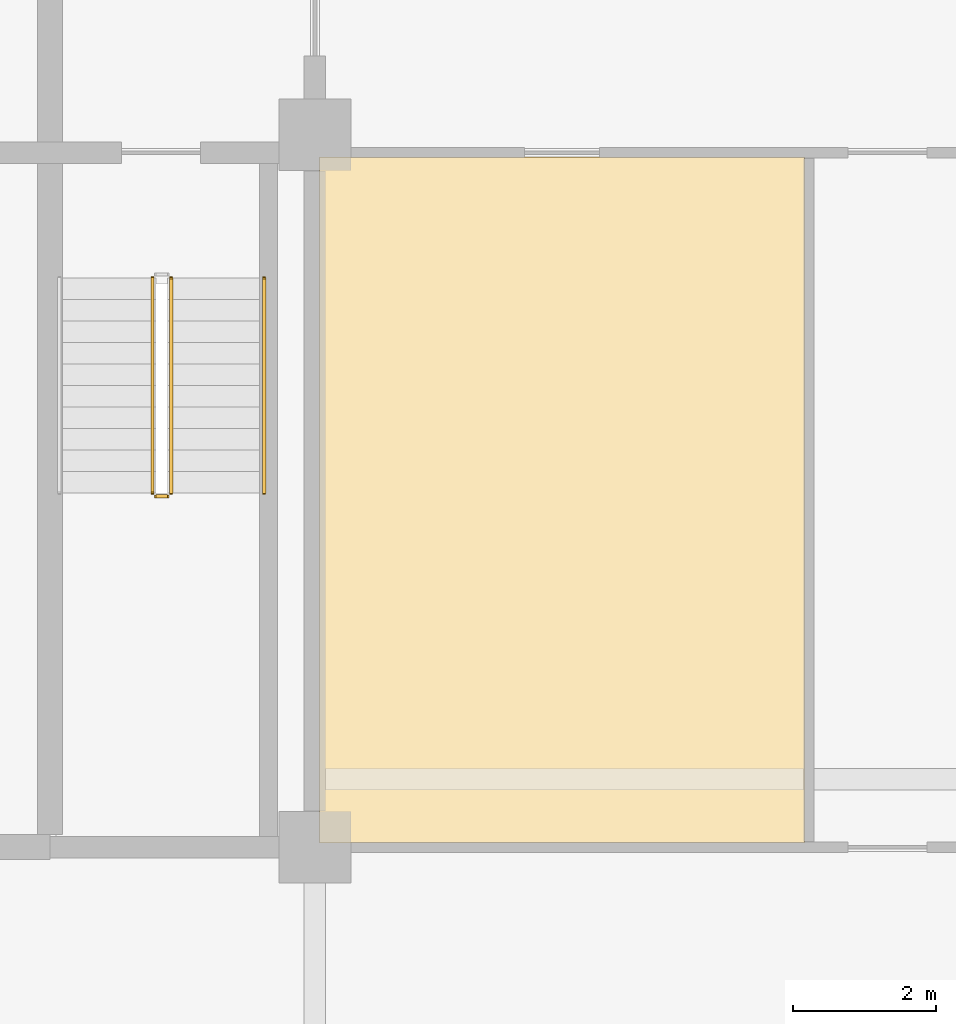
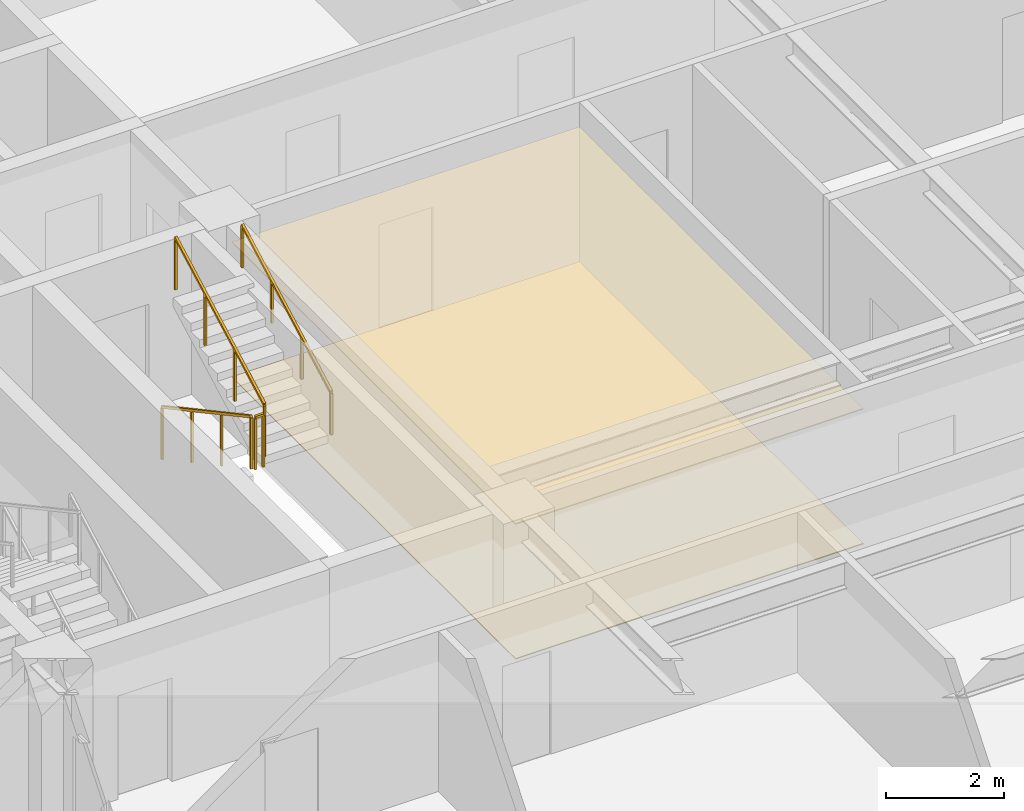
# One storey, part 11 of 16: 4 railings, 2 coverings.
"""IFC4 building model written with IfcOpenShell, lengths in metres."""

import ifcopenshell
import ifcopenshell.guid

model = None  # the IFC model being written
_history = None  # IfcOwnerHistory: only IFC2X3 demands one
_inside = {}  # id of a spatial element -> (the spatial element, [elements in it])
_under = {}  # id of a project, library or spatial element -> (it, [spatial elements below it])
_declared = {}  # id of a project -> (the project, [libraries it declares])
_typed = {}  # id of a type object -> (the type object, [elements of that type])
_made_of = {}  # id of a material, layer set ... -> (it, [elements and type objects made of it])


def new_model(schema):
    """Start an empty IFC model of exactly this schema.

    Asked for "IFC4X3", IfcOpenShell would pick the latest addendum, in which some entities
    have other attributes; the version numbers below select the first issue.
    IFC2X3 requires an IfcOwnerHistory on every rooted entity: one is made here for all.
    """
    global model, _history
    if schema == "IFC4X3":
        model = ifcopenshell.file(schema_version=(4, 3, 0, 0))
    else:
        model = ifcopenshell.file(schema=schema)
    _inside.clear()
    _under.clear()
    _declared.clear()
    _typed.clear()
    _made_of.clear()
    _history = None
    if model.schema == "IFC2X3":
        org = make("IfcOrganization", Name="unknown")
        user = make(
            "IfcPersonAndOrganization",
            ThePerson=make("IfcPerson", FamilyName="unknown"),
            TheOrganization=org,
        )
        app = make(
            "IfcApplication",
            ApplicationDeveloper=org,
            Version="unknown",
            ApplicationFullName="unknown",
            ApplicationIdentifier="unknown",
        )
        _history = make(
            "IfcOwnerHistory",
            OwningUser=user,
            OwningApplication=app,
            ChangeAction="ADDED",
            CreationDate=0,
        )
    return model


def make(cls, **values):
    """One entity of the class cls with the attributes given. An attribute that is None is left unset."""
    return model.create_entity(
        cls, **{name: value for name, value in values.items() if value is not None}
    )


def rooted(cls, **values):
    """An entity with a GlobalId (a new one), such as an element, a storey or a relation."""
    return make(cls, GlobalId=ifcopenshell.guid.new(), OwnerHistory=_history, **values)


def si_unit(unit_type, name, prefix=None):
    """IfcSIUnit, for example si_unit("LENGTHUNIT", "METRE", prefix="MILLI")."""
    return make("IfcSIUnit", UnitType=unit_type, Prefix=prefix, Name=name)


def assignment(units):
    """IfcUnitAssignment: the units of a project."""
    return None if units is None else make("IfcUnitAssignment", Units=units)


def point(xyz):
    """IfcCartesianPoint."""
    return None if xyz is None else make("IfcCartesianPoint", Coordinates=xyz)


def direction(xyz):
    """IfcDirection."""
    return None if xyz is None else make("IfcDirection", DirectionRatios=xyz)


def frame(location, z_axis=None, x_axis=None):
    """IfcAxis2Placement3D, a coordinate frame: its origin and axes. An axis left out is left unset."""
    return make(
        "IfcAxis2Placement3D",
        Location=point(location),
        Axis=direction(z_axis),
        RefDirection=direction(x_axis),
    )


def frame_2d(location, x_axis=None):
    """IfcAxis2Placement2D, a coordinate frame in the plane: its origin and x axis."""
    return make(
        "IfcAxis2Placement2D", Location=point(location), RefDirection=direction(x_axis)
    )


def origin():
    """The frame at (0, 0, 0) with its axes left unset."""
    return frame((0.0, 0.0, 0.0))


def origin_2d():
    """The frame at (0, 0) in the plane with its x axis left unset."""
    return frame_2d((0.0, 0.0))


def place(relative_to, where):
    """IfcLocalPlacement: puts the frame where relative to a parent placement (None: the world)."""
    return make(
        "IfcLocalPlacement", PlacementRelTo=relative_to, RelativePlacement=where
    )


def context(
    kind, dimensions, precision=None, world=None, true_north=None, identifier=None
):
    """IfcGeometricRepresentationContext, for example the 3D "Model" context."""
    return make(
        "IfcGeometricRepresentationContext",
        ContextIdentifier=identifier,
        ContextType=kind,
        CoordinateSpaceDimension=dimensions,
        Precision=precision,
        WorldCoordinateSystem=world,
        TrueNorth=true_north,
    )


def subcontext(parent, identifier, kind, view, scale=None):
    """IfcGeometricRepresentationSubContext, for example "Body" below "Model"."""
    return make(
        "IfcGeometricRepresentationSubContext",
        ContextIdentifier=identifier,
        ContextType=kind,
        ParentContext=parent,
        TargetScale=scale,
        TargetView=view,
    )


def project(units=None, contexts=None):
    """IfcProject with its units and contexts."""
    return rooted(
        "IfcProject",
        Name="project",
        RepresentationContexts=contexts,
        UnitsInContext=assignment(units),
    )


def spatial(cls, under=None, at=None, **own):
    """A site, building, storey or space (cls), placed at a placement, below another one or the project."""
    s = rooted(cls, ObjectPlacement=at, **own)
    if under is not None:
        _under.setdefault(under.id(), (under, []))[1].append(s)
    return s


def polyline(points):
    """IfcPolyline through the points."""
    return make("IfcPolyline", Points=[point(p) for p in points])


def profile(cls, at=None, kind="AREA", **sizes):
    """A parametric profile (cls). Its sizes go by their IFC names, for example OverallWidth=200.0."""
    return make(cls, ProfileType=kind, Position=at, **sizes)


def rectangle(**sizes):
    """IfcRectangleProfileDef."""
    return profile("IfcRectangleProfileDef", **sizes)


def outline(outer, holes=None, kind="AREA"):
    """IfcArbitraryClosedProfileDef: a profile drawn as a closed curve; with holes, ...WithVoids."""
    if holes is None:
        return make("IfcArbitraryClosedProfileDef", ProfileType=kind, OuterCurve=outer)
    return make(
        "IfcArbitraryProfileDefWithVoids",
        ProfileType=kind,
        OuterCurve=outer,
        InnerCurves=holes,
    )


def extrude(swept, where, along, depth):
    """IfcExtrudedAreaSolid: the profile swept, set in the frame where, extruded along a direction by depth."""
    return make(
        "IfcExtrudedAreaSolid",
        SweptArea=swept,
        Position=where,
        ExtrudedDirection=direction(along),
        Depth=depth,
    )


def shape(context_of_items, identifier, shape_type, items):
    """IfcShapeRepresentation: the items that make up one representation, for example the "Body"."""
    return make(
        "IfcShapeRepresentation",
        ContextOfItems=context_of_items,
        RepresentationIdentifier=identifier,
        RepresentationType=shape_type,
        Items=items,
    )


def material(Name=None, Category=None):
    """IfcMaterial."""
    return make("IfcMaterial", Name=Name, Category=Category)


def layer(
    of_material, thickness, ventilated=None, Name=None, Category=None, Priority=None
):
    """IfcMaterialLayer: one layer of a wall or slab, of a material (None: an air gap)."""
    return make(
        "IfcMaterialLayer",
        Material=of_material,
        LayerThickness=thickness,
        IsVentilated=ventilated,
        Name=Name,
        Category=Category,
        Priority=Priority,
    )


def layer_set(layers, Name=None):
    """IfcMaterialLayerSet."""
    return make("IfcMaterialLayerSet", MaterialLayers=layers, LayerSetName=Name)


def made_of(thing, what):
    """Note that an element or type object is made of a material, layer set ...; save() writes the relation."""
    if what is not None:
        _made_of.setdefault(what.id(), (what, []))[1].append(thing)
    return thing


def type_object(cls, material=None, **own):
    """A type object (cls), such as IfcWallType, which elements share."""
    return made_of(rooted(cls, **own), material)


def element(
    cls,
    number,
    at=None,
    inside=None,
    cuts=None,
    type_object=None,
    material=None,
    context=None,
    identifier="Body",
    shape_type=None,
    held_by="IfcProductDefinitionShape",
    body=None,
    shapes=None,
    **own,
):
    """One element of the class cls, such as IfcWall. Its Tag is "e" and its number.

    at: its placement. inside: the storey or other place that contains it. cuts: it is an
    opening in that element (IfcRelVoidsElement). A single representation is given by context,
    identifier, shape_type and body (its items); several are given by shapes. held_by: the class
    of the entity that holds the representations. save() writes the other relations.
    """
    e = rooted(cls, Tag="e%d" % number, ObjectPlacement=at, **own)
    if body is not None:
        shapes = [shape(context, identifier, shape_type, body)]
    if shapes is not None:
        e.Representation = make(held_by, Representations=shapes)
    if inside is not None:
        _inside.setdefault(inside.id(), (inside, []))[1].append(e)
    if cuts is not None:
        rooted(
            "IfcRelVoidsElement", RelatingBuildingElement=cuts, RelatedOpeningElement=e
        )
    if type_object is not None:
        _typed.setdefault(type_object.id(), (type_object, []))[1].append(e)
    return made_of(e, material)


def aggregate(whole, parts):
    """IfcRelAggregates: a whole, such as a stair, and the parts it consists of."""
    return rooted("IfcRelAggregates", RelatingObject=whole, RelatedObjects=parts)


def save(model, path):
    """Write the relations noted so far, then the file.

    IfcRelAggregates (storeys below a building ...), IfcRelContainedInSpatialStructure (elements
    in a storey), IfcRelDefinesByType, IfcRelAssociatesMaterial and IfcRelDeclares: one each for
    every whole, place, type object, material and project.
    """
    for whole, parts in _under.values():
        aggregate(whole, parts)
    for where, things in _inside.values():
        rooted(
            "IfcRelContainedInSpatialStructure",
            RelatedElements=things,
            RelatingStructure=where,
        )
    for kind, things in _typed.values():
        rooted("IfcRelDefinesByType", RelatedObjects=things, RelatingType=kind)
    for what, things in _made_of.values():
        rooted("IfcRelAssociatesMaterial", RelatedObjects=things, RelatingMaterial=what)
    for by, libraries in _declared.values():
        rooted("IfcRelDeclares", RelatingContext=by, RelatedDefinitions=libraries)
    model.write(path)


model = new_model("IFC4")

# Units and contexts
model_context = context("Model", 3, precision=1e-05, world=origin(), true_north=direction((0.0, 1.0)))
body_context = subcontext(model_context, "Body", "Model", "MODEL_VIEW")
ifc_project = project(units=[si_unit("LENGTHUNIT", "METRE"), si_unit("AREAUNIT", "SQUARE_METRE"), si_unit("VOLUMEUNIT", "CUBIC_METRE"), si_unit("PLANEANGLEUNIT", "RADIAN"), si_unit("MASSUNIT", "GRAM", prefix="KILO")], contexts=[model_context])

# Site, building, storey
site_placement = place(None, origin())
site = spatial("IfcSite", under=ifc_project, at=site_placement, CompositionType="ELEMENT")
building_placement = place(site_placement, origin())
building = spatial("IfcBuilding", under=site, at=building_placement, Name="Zulmaris Gate Convention Tower", CompositionType="ELEMENT")
storey_placement = place(building_placement, frame((0.0, 0.0, 124.919921875)))
storey = spatial("IfcBuildingStorey", under=building, at=storey_placement, Name="L31", CompositionType="ELEMENT", Elevation=124.919921875)

# Coverings
ifc_material_1 = material(Name="Mineral Fibre Acoustic Ceiling Tile")
ifc_layer_1 = layer(ifc_material_1, 0.02001953125, Name="Mineral Fibre Acoustic Ceiling Tile")
ifc_layer_set_1 = layer_set([ifc_layer_1], Name="Mineral Fibre Acoustic Ceiling Tile")
covering_type_1 = type_object("IfcCoveringType", Name="CLG-ACOUSTIC-600", PredefinedType="CEILING", material=ifc_layer_set_1)
covering_1_placement = place(storey_placement, frame((0.0, 0.0, 2.77783203125)))
element("IfcCovering", 1, at=covering_1_placement, inside=storey, type_object=covering_type_1, Name="CLG-L31-R44", PredefinedType="CEILING", context=body_context, shape_type="SweptSolid", body=[
    extrude(outline(polyline([(-10.93994140625, -9.889892578125), (-4.159912109375, -9.889892578125), (-4.159912109375, -0.31005859375), (-10.93994140625, -0.31005859375), (-10.93994140625, -9.889892578125)])), origin(), (0.0, 0.0, 1.0), 0.02001953125),
])
ifc_material_2 = material(Name="Woven Acoustic Wool Carpet Tile")
ifc_layer_2 = layer(ifc_material_2, 0.02001953125, Name="Woven Acoustic Wool Carpet Tile")
ifc_layer_set_2 = layer_set([ifc_layer_2], Name="Woven Acoustic Wool Carpet Tile")
covering_type_2 = type_object("IfcCoveringType", Name="FLR-CARPET-12", PredefinedType="FLOORING", material=ifc_layer_set_2)
covering_2_placement = place(storey_placement, origin())
element("IfcCovering", 2, at=covering_2_placement, inside=storey, type_object=covering_type_2, Name="FLR-L31-R44", PredefinedType="FLOORING", context=body_context, shape_type="SweptSolid", body=[
    extrude(outline(polyline([(-10.93994140625, -9.889892578125), (-4.159912109375, -9.889892578125), (-4.159912109375, -0.31005859375), (-10.93994140625, -0.31005859375), (-10.93994140625, -9.889892578125)])), origin(), (0.0, 0.0, 1.0), 0.02001953125),
])

# Railings
ifc_material_3 = material(Name="Painted Galvanised Steel", Category="steel")
railing_type_1 = type_object("IfcRailingType", Name="RL-STG-1150", PredefinedType="GUARDRAIL", material=ifc_material_3)
railing_1_placement = place(storey_placement, frame((-13.27001953125, -2.0, 0.162353515625)))
element("IfcRailing", 3, at=railing_1_placement, inside=storey, type_object=railing_type_1, Name="L31 ST-1 stair guard 1", PredefinedType="GUARDRAIL", context=body_context, shape_type="SweptSolid", body=[
    extrude(rectangle(XDim=0.048095703125, YDim=0.048095703125, at=origin_2d()), frame((0.0, 0.0, 1.076171875), z_axis=(0.0, -0.879591569277, 0.475729619907), x_axis=(1.0, 0.0, 0.0)), (0.0, 0.0, 1.0), 3.41064453125),
    extrude(rectangle(XDim=0.0419921875, YDim=0.0419921875, at=origin_2d()), origin(), (0.0, 0.0, 1.0), 1.052001953125),
    extrude(rectangle(XDim=0.0419921875, YDim=0.0419921875, at=origin_2d()), frame((0.0, -1.0, 0.540771484375)), (0.0, 0.0, 1.0), 1.052001953125),
    extrude(rectangle(XDim=0.0419921875, YDim=0.0419921875, at=origin_2d()), frame((0.0, -2.0, 1.081787109375)), (0.0, 0.0, 1.0), 1.052001953125),
    extrude(rectangle(XDim=0.0419921875, YDim=0.0419921875, at=origin_2d()), frame((0.0, -3.0, 1.62255859375)), (0.0, 0.0, 1.0), 1.052001953125),
])
railing_2_placement = place(storey_placement, frame((-13.219970703125, -5.050048828125, 1.784912109375)))
element("IfcRailing", 4, at=railing_2_placement, inside=storey, type_object=railing_type_1, Name="L31 ST-1 stair guard 2", PredefinedType="GUARDRAIL", context=body_context, shape_type="SweptSolid", body=[
    extrude(rectangle(XDim=0.048095703125, YDim=0.048095703125, at=origin_2d()), frame((0.0, 0.0, 1.076171875), z_axis=(1.0, 0.0, 0.0), x_axis=(0.0, 1.0, 0.0)), (0.0, 0.0, 1.0), 0.159912109375),
    extrude(rectangle(XDim=0.0419921875, YDim=0.0419921875, at=origin_2d()), origin(), (0.0, 0.0, 1.0), 1.052001953125),
    extrude(rectangle(XDim=0.0419921875, YDim=0.0419921875, at=origin_2d()), frame((0.159912109375, 0.0, 0.0)), (0.0, 0.0, 1.0), 1.052001953125),
])
railing_3_placement = place(storey_placement, frame((-13.010009765625, -5.0, 1.947021484375)))
element("IfcRailing", 5, at=railing_3_placement, inside=storey, type_object=railing_type_1, Name="L31 ST-1 stair guard 3", PredefinedType="GUARDRAIL", context=body_context, shape_type="SweptSolid", body=[
    extrude(rectangle(XDim=0.048095703125, YDim=0.048095703125, at=origin_2d()), frame((0.0, 0.0, 1.076171875), z_axis=(0.0, 0.8795616155, 0.475784998228), x_axis=(-1.0, 0.0, 0.0)), (0.0, 0.0, 1.0), 3.410888671875),
    extrude(rectangle(XDim=0.0419921875, YDim=0.0419921875, at=origin_2d()), origin(), (0.0, 0.0, 1.0), 1.052001953125),
    extrude(rectangle(XDim=0.0419921875, YDim=0.0419921875, at=origin_2d()), frame((0.0, 1.0, 0.541015625)), (0.0, 0.0, 1.0), 1.052001953125),
    extrude(rectangle(XDim=0.0419921875, YDim=0.0419921875, at=origin_2d()), frame((0.0, 2.0, 1.081787109375)), (0.0, 0.0, 1.0), 1.052001953125),
    extrude(rectangle(XDim=0.0419921875, YDim=0.0419921875, at=origin_2d()), frame((0.0, 3.0, 1.622802734375)), (0.0, 0.0, 1.0), 1.052001953125),
])
ifc_material_4 = material(Name="Brushed Stainless Steel", Category="steel")
railing_type_2 = type_object("IfcRailingType", Name="RL-STH-900", PredefinedType="HANDRAIL", material=ifc_material_4)
railing_4_placement = place(storey_placement, frame((-11.7099609375, -5.0, 1.947021484375)))
element("IfcRailing", 6, at=railing_4_placement, inside=storey, type_object=railing_type_2, Name="L31 ST-1 stair handrail 2", PredefinedType="HANDRAIL", context=body_context, shape_type="SweptSolid", body=[
    extrude(rectangle(XDim=0.048095703125, YDim=0.048095703125, at=origin_2d()), frame((0.0, 0.0, 0.8759765625), z_axis=(0.0, 0.8795616155, 0.475784998228), x_axis=(-1.0, 0.0, 0.0)), (0.0, 0.0, 1.0), 3.410888671875),
    extrude(rectangle(XDim=0.0419921875, YDim=0.0419921875, at=origin_2d()), origin(), (0.0, 0.0, 1.0), 0.851806640625),
    extrude(rectangle(XDim=0.0419921875, YDim=0.0419921875, at=origin_2d()), frame((0.0, 1.0, 0.541015625)), (0.0, 0.0, 1.0), 0.851806640625),
    extrude(rectangle(XDim=0.0419921875, YDim=0.0419921875, at=origin_2d()), frame((0.0, 2.0, 1.081787109375)), (0.0, 0.0, 1.0), 0.851806640625),
    extrude(rectangle(XDim=0.0419921875, YDim=0.0419921875, at=origin_2d()), frame((0.0, 3.0, 1.622802734375)), (0.0, 0.0, 1.0), 0.851806640625),
])

save(model, "model.ifc")
